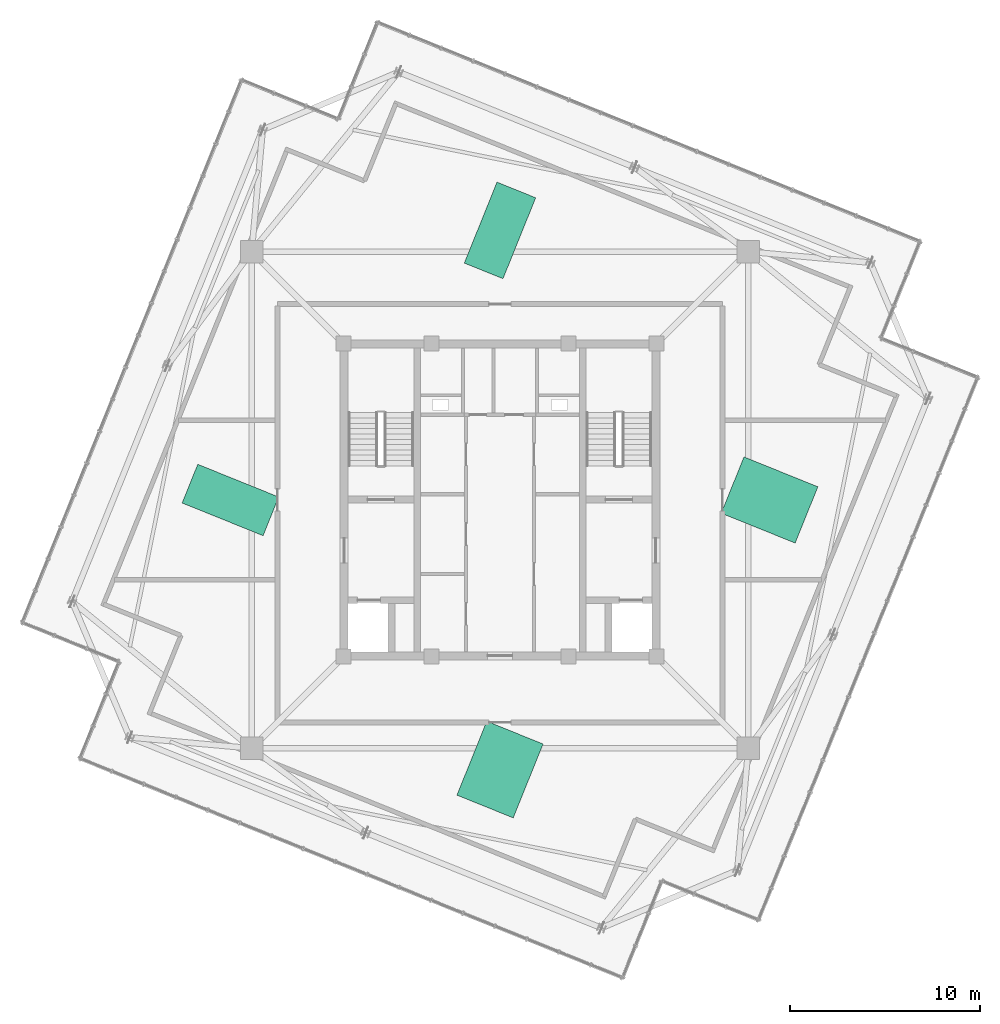
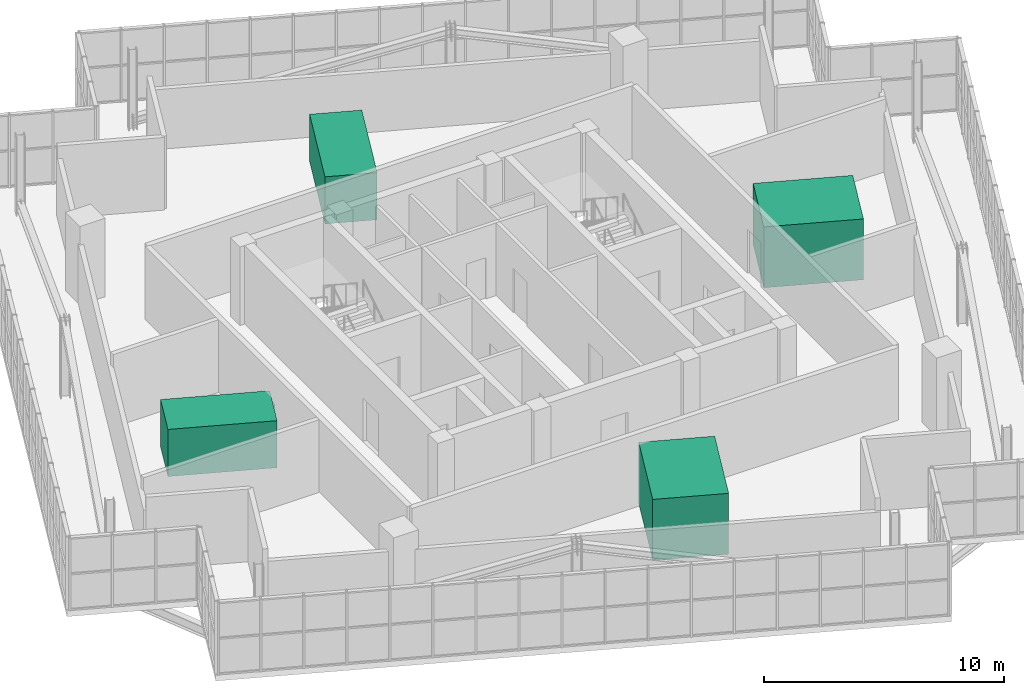
# One storey, part 26 of 26: 4 unitary equipment elements.
"""IFC4 building model written with IfcOpenShell, lengths in metres."""

from ifc_helpers import new_model, si_unit, direction, frame, origin, origin_2d, place, context, subcontext, project, spatial, rectangle, extrude, source, transform, mapped, material, type_object, element, save


model = new_model("IFC4")

# Units and contexts
model_context = context("Model", 3, precision=1e-05, world=origin(), true_north=direction((0.0, 1.0)))
body_context = subcontext(model_context, "Body", "Model", "MODEL_VIEW")
ifc_project = project(units=[si_unit("LENGTHUNIT", "METRE"), si_unit("AREAUNIT", "SQUARE_METRE"), si_unit("VOLUMEUNIT", "CUBIC_METRE"), si_unit("PLANEANGLEUNIT", "RADIAN"), si_unit("MASSUNIT", "GRAM", prefix="KILO"), si_unit("THERMODYNAMICTEMPERATUREUNIT", "KELVIN")], contexts=[model_context])

# Site, building, storey
site_placement = place(None, origin())
site = spatial("IfcSite", under=ifc_project, at=site_placement, CompositionType="ELEMENT")
building_placement = place(site_placement, origin())
building = spatial("IfcBuilding", under=site, at=building_placement, Name="Kosmvard Interchange Tower", CompositionType="ELEMENT")
storey_placement = place(building_placement, frame((0.0, 0.0, 337.60009765625)))
storey = spatial("IfcBuildingStorey", under=building, at=storey_placement, Name="L83", CompositionType="ELEMENT", Elevation=337.60009765625)

# Unitary equipment
ifc_material = material(Name="Steel S355", Category="steel")
unitary_equipment_type_1 = type_object("IfcUnitaryEquipmentType", Name="Modular Induced-Draft Cooling Tower Unit", PredefinedType="USERDEFINED", material=ifc_material)
shared_shape_1 = source(origin(), body_context, "Body", "SweptSolid", [
    extrude(rectangle(XDim=4.199951171875, YDim=3.199951171875, at=origin_2d()), origin(), (0.0, 0.0, 1.0), 3.10009765625),
])
unitary_equipment_1_placement = place(storey_placement, frame((0.0, -14.199951171875, -0.000244140625), z_axis=(0.0, 0.0, 1.0), x_axis=(0.374606593416, 0.927183854567, 0.0)))
element("IfcUnitaryEquipment", 1, at=unitary_equipment_1_placement, inside=storey, type_object=unitary_equipment_type_1, Name="L83 Crown Mechanical Plant Unit CT1", ObjectType="COOLING_TOWER", PredefinedType="USERDEFINED", context=body_context, shape_type="MappedRepresentation", body=[
    mapped(shared_shape_1, transform((0.0, 0.0, 0.0), scale=1.0)),
])
shared_shape_2 = source(origin(), body_context, "Body", "SweptSolid", [
    extrude(rectangle(XDim=3.199951171875, YDim=4.199951171875, at=origin_2d()), origin(), (0.0, 0.0, 1.0), 3.10009765625),
])
unitary_equipment_2_placement = place(storey_placement, frame((14.199951171875, 0.0, -0.000244140625), z_axis=(0.0, 0.0, 1.0), x_axis=(0.374606593416, 0.927183854567, 0.0)))
element("IfcUnitaryEquipment", 2, at=unitary_equipment_2_placement, inside=storey, type_object=unitary_equipment_type_1, Name="L83 Crown Mechanical Plant Unit CT2", ObjectType="COOLING_TOWER", PredefinedType="USERDEFINED", context=body_context, shape_type="MappedRepresentation", body=[
    mapped(shared_shape_2, transform((0.0, 0.0, 0.0), scale=1.0)),
])
unitary_equipment_type_2 = type_object("IfcUnitaryEquipmentType", Name="Centrifugal Water-Cooled Chiller & Heat Recovery Unit", PredefinedType="USERDEFINED", material=ifc_material)
shared_shape_3 = source(origin(), body_context, "Body", "SweptSolid", [
    extrude(rectangle(XDim=4.60009765625, YDim=2.199951171875, at=origin_2d()), origin(), (0.0, 0.0, 1.0), 2.39990234375),
])
unitary_equipment_3_placement = place(storey_placement, frame((0.0, 14.199951171875, 0.0), z_axis=(0.0, 0.0, 1.0), x_axis=(0.374606593416, 0.927183854567, 0.0)))
element("IfcUnitaryEquipment", 3, at=unitary_equipment_3_placement, inside=storey, type_object=unitary_equipment_type_2, Name="L83 Crown Mechanical Plant Unit CH1", ObjectType="CHILLER", PredefinedType="USERDEFINED", context=body_context, shape_type="MappedRepresentation", body=[
    mapped(shared_shape_3, transform((0.0, 0.0, 0.0), scale=1.0)),
])
shared_shape_4 = source(origin(), body_context, "Body", "SweptSolid", [
    extrude(rectangle(XDim=2.199951171875, YDim=4.60009765625, at=origin_2d()), origin(), (0.0, 0.0, 1.0), 2.39990234375),
])
unitary_equipment_4_placement = place(storey_placement, frame((-14.199951171875, 0.0, 0.0), z_axis=(0.0, 0.0, 1.0), x_axis=(0.374606593416, 0.927183854567, 0.0)))
element("IfcUnitaryEquipment", 4, at=unitary_equipment_4_placement, inside=storey, type_object=unitary_equipment_type_2, Name="L83 Crown Mechanical Plant Unit CH2", ObjectType="CHILLER", PredefinedType="USERDEFINED", context=body_context, shape_type="MappedRepresentation", body=[
    mapped(shared_shape_4, transform((0.0, 0.0, 0.0), scale=1.0)),
])

save(model, "model.ifc")
